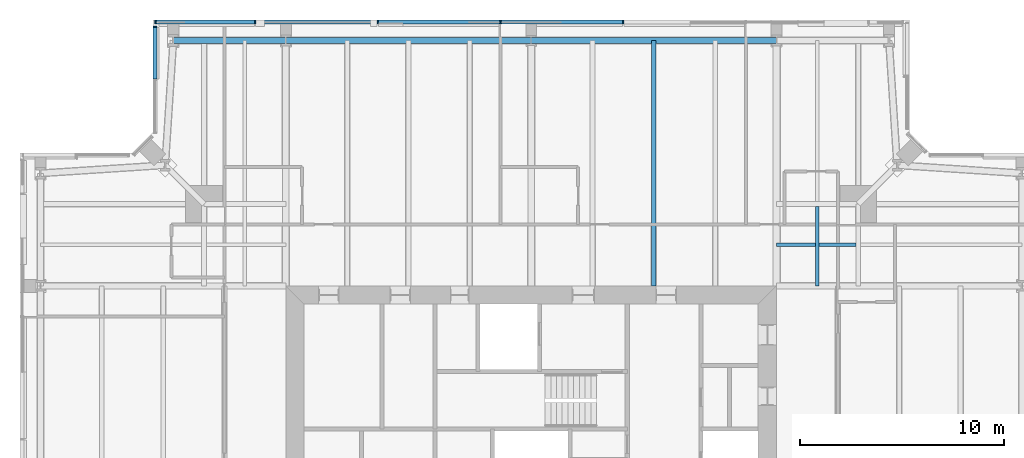
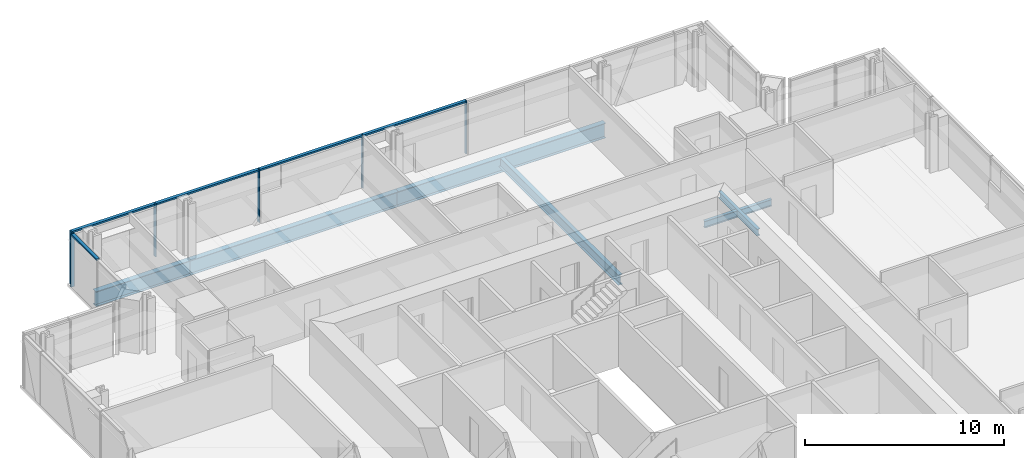
# One storey, part 8 of 20: 11 members, 7 beams, 2 elements without a shape of their own.
"""IFC4 building model written with IfcOpenShell, lengths in metres."""

from ifc_helpers import new_model, si_unit, direction, frame, origin, origin_2d, place, context, subcontext, project, spatial, rectangle, i_section, extrude, material, material_profile, profile_set, type_object, element, aggregate, save


model = new_model("IFC4")

# Units and contexts
model_context = context("Model", 3, precision=1e-05, world=origin(), true_north=direction((0.0, 1.0)))
body_context = subcontext(model_context, "Body", "Model", "MODEL_VIEW")
ifc_project = project(units=[si_unit("LENGTHUNIT", "METRE"), si_unit("AREAUNIT", "SQUARE_METRE"), si_unit("VOLUMEUNIT", "CUBIC_METRE"), si_unit("PLANEANGLEUNIT", "RADIAN"), si_unit("MASSUNIT", "GRAM", prefix="KILO")], contexts=[model_context])

# Site, building, storey
site_placement = place(None, origin())
site = spatial("IfcSite", under=ifc_project, at=site_placement, CompositionType="ELEMENT")
building_placement = place(site_placement, origin())
building = spatial("IfcBuilding", under=site, at=building_placement, Name="Fenwick Lantern Interchange", CompositionType="ELEMENT")
storey_placement = place(building_placement, frame((0.0, 0.0, 276.39990234375)))
storey = spatial("IfcBuildingStorey", under=building, at=storey_placement, Name="L66", CompositionType="ELEMENT", Elevation=276.39990234375)

# Beams
ifc_material_1 = material(Name="Steel ASTM A992 Grade 50", Category="steel")
ifc_material_profile_1 = material_profile(ifc_material_1, i_section(OverallWidth=0.3046875, OverallDepth=0.911865234375, WebThickness=0.015869140625, FlangeThickness=0.02392578125, at=origin_2d()), Name="W36X150")
ifc_profile_set_1 = profile_set([ifc_material_profile_1], Name="Steel ASTM A992 Grade 50")
beam_type_1 = type_object("IfcBeamType", Name="EDGE BEAM W36X150", PredefinedType="SPANDREL", material=ifc_profile_set_1)
for number, where, z_axis, x_axis, name in (
    (1, (37.0, 49.0, -0.605712890625), (-1.0, 0.0, 0.0), (0.0, -1.0, 0.0), "L66/FR/N/EB2"),
    (2, (25.0, 49.0, -0.605712890625), (-1.0, 0.0, 0.0), (0.0, -1.0, 0.0), "L66/FR/N/EB3"),
):
    element("IfcBeam", number, at=place(storey_placement, frame(where, z_axis=z_axis, x_axis=x_axis)), inside=storey, type_object=beam_type_1, Name=name, PredefinedType="SPANDREL", context=body_context, shape_type="SweptSolid", body=[
        extrude(i_section(OverallWidth=0.3046875, OverallDepth=0.911865234375, WebThickness=0.015869140625, FlangeThickness=0.02392578125, at=origin_2d()), origin(), (0.0, 0.0, 1.0), 12.0),
    ])
beam_1_placement = place(storey_placement, frame((13.0, 49.0, -0.605712890625), z_axis=(-1.0, 0.0, 0.0), x_axis=(0.0, -1.0, 0.0)))
element("IfcBeam", 3, at=beam_1_placement, inside=storey, type_object=beam_type_1, Name="L66/FR/N/EB4", PredefinedType="SPANDREL", context=body_context, shape_type="SweptSolid", body=[
    extrude(i_section(OverallWidth=0.3046875, OverallDepth=0.911865234375, WebThickness=0.015869140625, FlangeThickness=0.02392578125, at=origin_2d()), origin(), (0.0, 0.0, 1.0), 5.5),
])
ifc_material_profile_2 = material_profile(ifc_material_1, i_section(OverallWidth=0.22900390625, OverallDepth=0.612060546875, WebThickness=0.011962890625, FlangeThickness=0.01953125, at=origin_2d()), Name="W24X84")
ifc_profile_set_2 = profile_set([ifc_material_profile_2], Name="Steel ASTM A992 Grade 50")
beam_type_2 = type_object("IfcBeamType", Name="FLOOR BEAM W24X84", PredefinedType="BEAM", material=ifc_profile_set_2)
beam_2_placement = place(storey_placement, frame((31.0, 49.0, -0.4560546875), z_axis=(0.0, -1.0, 0.0), x_axis=(1.0, 0.0, 0.0)))
element("IfcBeam", 4, at=beam_2_placement, inside=storey, type_object=beam_type_2, Name="L66/FR/N/R03", PredefinedType="BEAM", context=body_context, shape_type="SweptSolid", body=[
    extrude(i_section(OverallWidth=0.22900390625, OverallDepth=0.612060546875, WebThickness=0.011962890625, FlangeThickness=0.01953125, at=origin_2d()), origin(), (0.0, 0.0, 1.0), 12.0),
])

# Curtain wall, members
ifc_material_2 = material(Name="Aluminium curtain wall frame", Category="aluminium")
curtain_wall_type = type_object("IfcCurtainWallType", Name="HOTEL CURTAIN WALL", PredefinedType="USERDEFINED", material=ifc_material_2)
curtain_wall_1_placement = place(storey_placement, origin())
curtain_wall_1 = element("IfcCurtainWall", 5, at=curtain_wall_1_placement, inside=storey, type_object=curtain_wall_type, Name="Hotel curtain wall 09", ObjectType="HOTEL CURTAIN WALL", PredefinedType="USERDEFINED")
ifc_material_3 = material(Name="Aluminium extrusion", Category="aluminium")
ifc_material_profile_3 = material_profile(ifc_material_3, rectangle(XDim=0.179931640625, YDim=0.06005859375, at=origin_2d()), Name="HOTEL CURTAIN WALL MULLION 60 X 180")
ifc_profile_set_3 = profile_set([ifc_material_profile_3], Name="Aluminium extrusion")
member_type_1 = type_object("IfcMemberType", Name="HOTEL CURTAIN WALL MULLION 60 X 180", PredefinedType="MULLION", material=ifc_profile_set_3)
member_1_placement = place(storey_placement, frame((29.5, 49.89990234375, 0.0), z_axis=(0.0, 0.0, 1.0), x_axis=(0.0, -1.0, 0.0)))
member_1 = element("IfcMember", 6, at=member_1_placement, type_object=member_type_1, Name="L66/CW/09/M03", PredefinedType="MULLION", context=body_context, shape_type="SweptSolid", body=[
    extrude(rectangle(XDim=0.179931640625, YDim=0.06005859375, at=origin_2d()), origin(), (0.0, 0.0, 1.0), 3.25),
])
member_2_placement = place(storey_placement, frame((23.5, 49.89990234375, 0.0), z_axis=(0.0, 0.0, 1.0), x_axis=(0.0, -1.0, 0.0)))
member_2 = element("IfcMember", 7, at=member_2_placement, type_object=member_type_1, Name="L66/CW/09/M04", PredefinedType="MULLION", context=body_context, shape_type="SweptSolid", body=[
    extrude(rectangle(XDim=0.179931640625, YDim=0.06005859375, at=origin_2d()), origin(), (0.0, 0.0, 1.0), 3.25),
])
member_3_placement = place(storey_placement, frame((17.5, 49.89990234375, 0.0), z_axis=(0.0, 0.0, 1.0), x_axis=(0.0, -1.0, 0.0)))
member_3 = element("IfcMember", 8, at=member_3_placement, type_object=member_type_1, Name="L66/CW/09/M05", PredefinedType="MULLION", context=body_context, shape_type="SweptSolid", body=[
    extrude(rectangle(XDim=0.179931640625, YDim=0.06005859375, at=origin_2d()), origin(), (0.0, 0.0, 1.0), 3.25),
])
member_4_placement = place(storey_placement, frame((11.5, 49.89990234375, 0.0), z_axis=(0.0, 0.0, 1.0), x_axis=(0.0, -1.0, 0.0)))
member_4 = element("IfcMember", 9, at=member_4_placement, type_object=member_type_1, Name="L66/CW/09/M06", PredefinedType="MULLION", context=body_context, shape_type="SweptSolid", body=[
    extrude(rectangle(XDim=0.179931640625, YDim=0.06005859375, at=origin_2d()), origin(), (0.0, 0.0, 1.0), 3.25),
])
member_5_placement = place(storey_placement, frame((6.6298828125, 49.89990234375, 0.0), z_axis=(0.0, 0.0, 1.0), x_axis=(0.0, -1.0, 0.0)))
member_5 = element("IfcMember", 10, at=member_5_placement, type_object=member_type_1, Name="L66/CW/09/M07", PredefinedType="MULLION", context=body_context, shape_type="SweptSolid", body=[
    extrude(rectangle(XDim=0.179931640625, YDim=0.06005859375, at=origin_2d()), origin(), (0.0, 0.0, 1.0), 3.25),
])

# Curtain wall, member
curtain_wall_2_placement = place(storey_placement, origin())
curtain_wall_2 = element("IfcCurtainWall", 11, at=curtain_wall_2_placement, inside=storey, type_object=curtain_wall_type, Name="Hotel curtain wall 10", ObjectType="HOTEL CURTAIN WALL", PredefinedType="USERDEFINED")
member_6_placement = place(storey_placement, frame((6.60009765625, 49.669921875, 0.0), z_axis=(0.0, 0.0, 1.0), x_axis=(1.0, 0.0, 0.0)))
member_6 = element("IfcMember", 12, at=member_6_placement, type_object=member_type_1, Name="L66/CW/10/M00", PredefinedType="MULLION", context=body_context, shape_type="SweptSolid", body=[
    extrude(rectangle(XDim=0.179931640625, YDim=0.06005859375, at=origin_2d()), origin(), (0.0, 0.0, 1.0), 3.25),
])

# Member
ifc_material_profile_4 = material_profile(ifc_material_3, rectangle(XDim=0.179931640625, YDim=0.10009765625, at=origin_2d()), Name="HOTEL CURTAIN WALL TRANSOM 100 X 180")
ifc_profile_set_4 = profile_set([ifc_material_profile_4], Name="Aluminium extrusion")
member_type_2 = type_object("IfcMemberType", Name="HOTEL CURTAIN WALL TRANSOM 100 X 180", PredefinedType="MULLION", material=ifc_profile_set_4)
member_7_placement = place(storey_placement, frame((29.469970703125, 49.89990234375, 3.2001953125), z_axis=(-1.0, 0.0, 0.0), x_axis=(0.0, -1.0, 0.0)))
member_7 = element("IfcMember", 13, at=member_7_placement, type_object=member_type_2, Name="L66/CW/09/T03", PredefinedType="MULLION", context=body_context, shape_type="SweptSolid", body=[
    extrude(rectangle(XDim=0.179931640625, YDim=0.10009765625, at=origin_2d()), origin(), (0.0, 0.0, 1.0), 5.93994140625),
])

member_8_placement = place(storey_placement, frame((23.469970703125, 49.89990234375, 3.2001953125), z_axis=(-1.0, 0.0, 0.0), x_axis=(0.0, -1.0, 0.0)))
member_8 = element("IfcMember", 14, at=member_8_placement, type_object=member_type_2, Name="L66/CW/09/T04", PredefinedType="MULLION", context=body_context, shape_type="SweptSolid", body=[
    extrude(rectangle(XDim=0.179931640625, YDim=0.10009765625, at=origin_2d()), origin(), (0.0, 0.0, 1.0), 5.93994140625),
])

member_9_placement = place(storey_placement, frame((17.469970703125, 49.89990234375, 3.2001953125), z_axis=(-1.0, 0.0, 0.0), x_axis=(0.0, -1.0, 0.0)))
member_9 = element("IfcMember", 15, at=member_9_placement, type_object=member_type_2, Name="L66/CW/09/T05", PredefinedType="MULLION", context=body_context, shape_type="SweptSolid", body=[
    extrude(rectangle(XDim=0.179931640625, YDim=0.10009765625, at=origin_2d()), origin(), (0.0, 0.0, 1.0), 5.93994140625),
])

member_10_placement = place(storey_placement, frame((11.469970703125, 49.89990234375, 3.2001953125), z_axis=(-1.0, 0.0, 0.0), x_axis=(0.0, -1.0, 0.0)))
member_10 = element("IfcMember", 16, at=member_10_placement, type_object=member_type_2, Name="L66/CW/09/T06", PredefinedType="MULLION", context=body_context, shape_type="SweptSolid", body=[
    extrude(rectangle(XDim=0.179931640625, YDim=0.10009765625, at=origin_2d()), origin(), (0.0, 0.0, 1.0), 4.81005859375),
])

aggregate(curtain_wall_1, [member_1, member_2, member_3, member_4, member_5, member_7, member_8, member_9, member_10])

member_11_placement = place(storey_placement, frame((6.60009765625, 49.639892578125, 3.2001953125), z_axis=(0.0, -1.0, 0.0), x_axis=(1.0, 0.0, 0.0)))
member_11 = element("IfcMember", 17, at=member_11_placement, type_object=member_type_2, Name="L66/CW/10/T00", PredefinedType="MULLION", context=body_context, shape_type="SweptSolid", body=[
    extrude(rectangle(XDim=0.179931640625, YDim=0.10009765625, at=origin_2d()), origin(), (0.0, 0.0, 1.0), 2.530517578125),
])

aggregate(curtain_wall_2, [member_6, member_11])

# Beams
ifc_material_profile_5 = material_profile(ifc_material_1, i_section(OverallWidth=0.177734375, OverallDepth=0.406494140625, WebThickness=0.0078125, FlangeThickness=0.012939453125, at=origin_2d()), Name="W16X40")
ifc_profile_set_5 = profile_set([ifc_material_profile_5], Name="Steel ASTM A992 Grade 50")
beam_type_3 = type_object("IfcBeamType", Name="INFILL BEAM W16X40", PredefinedType="JOIST", material=ifc_profile_set_5)
beam_3_placement = place(storey_placement, frame((39.0, 40.885498046875, -0.35302734375), z_axis=(0.0, -1.0, 0.0), x_axis=(1.0, 0.0, 0.0)))
element("IfcBeam", 18, at=beam_3_placement, inside=storey, type_object=beam_type_3, Name="L66/FR/N/J2", PredefinedType="JOIST", context=body_context, shape_type="SweptSolid", body=[
    extrude(i_section(OverallWidth=0.177734375, OverallDepth=0.406494140625, WebThickness=0.0078125, FlangeThickness=0.012939453125, at=origin_2d()), origin(), (0.0, 0.0, 1.0), 3.885498046875),
])
beam_4_placement = place(storey_placement, frame((40.885498046875, 39.0, -0.35302734375), z_axis=(-1.0, 0.0, 0.0), x_axis=(0.0, -1.0, 0.0)))
element("IfcBeam", 19, at=beam_4_placement, inside=storey, type_object=beam_type_3, Name="L66/FR/N/J4", PredefinedType="JOIST", context=body_context, shape_type="SweptSolid", body=[
    extrude(i_section(OverallWidth=0.177734375, OverallDepth=0.406494140625, WebThickness=0.0078125, FlangeThickness=0.012939453125, at=origin_2d()), origin(), (0.0, 0.0, 1.0), 1.796630859375),
])
beam_5_placement = place(storey_placement, frame((38.9111328125, 39.0, -0.35302734375), z_axis=(-1.0, 0.0, 0.0), x_axis=(0.0, -1.0, 0.0)))
element("IfcBeam", 20, at=beam_5_placement, inside=storey, type_object=beam_type_3, Name="L66/FR/N/J5", PredefinedType="JOIST", context=body_context, shape_type="SweptSolid", body=[
    extrude(i_section(OverallWidth=0.177734375, OverallDepth=0.406494140625, WebThickness=0.0078125, FlangeThickness=0.012939453125, at=origin_2d()), origin(), (0.0, 0.0, 1.0), 1.9111328125),
])

save(model, "model.ifc")
